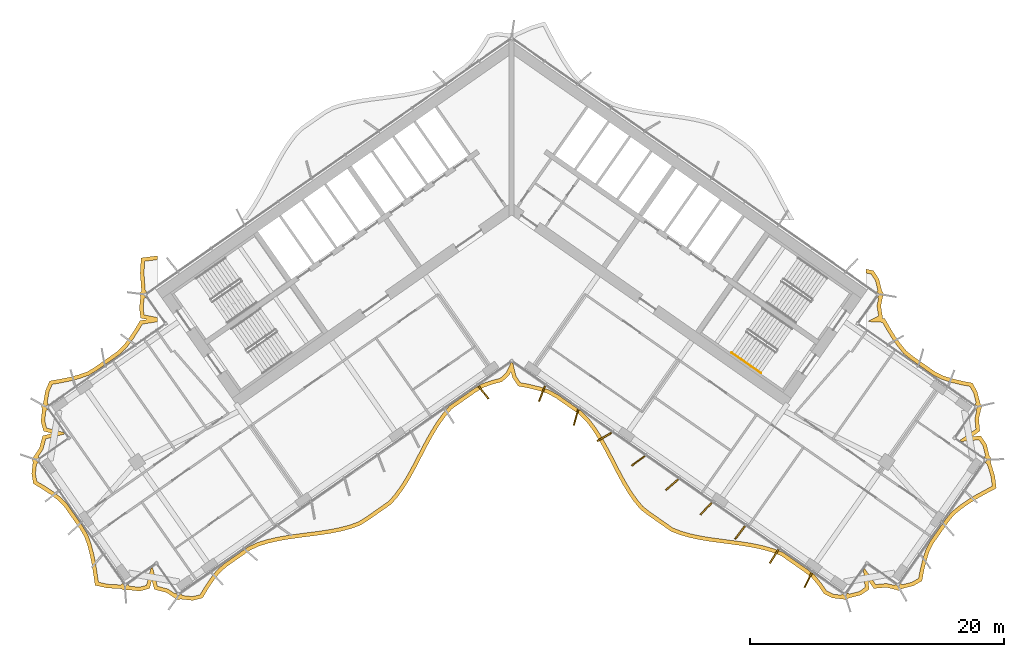
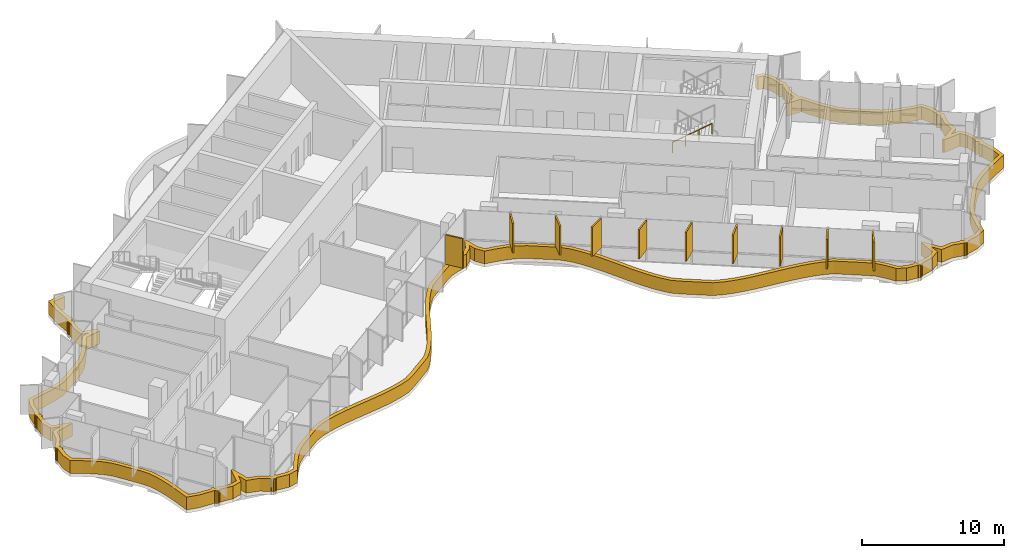
# One storey, part 21 of 23: 11 shading devices, 1 railing.
"""IFC4 building model written with IfcOpenShell, lengths in metres."""

from ifc_helpers import new_model, si_unit, direction, frame, origin, origin_2d, place, context, subcontext, project, spatial, polyline, rectangle, circle, outline, extrude, material, layer, layer_set, type_object, element, save


model = new_model("IFC4")

# Units and contexts
model_context = context("Model", 3, precision=1e-05, world=origin(), true_north=direction((0.0, 1.0)))
body_context = subcontext(model_context, "Body", "Model", "MODEL_VIEW")
ifc_project = project(units=[si_unit("LENGTHUNIT", "METRE"), si_unit("AREAUNIT", "SQUARE_METRE"), si_unit("VOLUMEUNIT", "CUBIC_METRE"), si_unit("PLANEANGLEUNIT", "RADIAN"), si_unit("MASSUNIT", "GRAM", prefix="KILO")], contexts=[model_context])

# Site, building, storey
site_placement = place(None, origin())
site = spatial("IfcSite", under=ifc_project, at=site_placement, CompositionType="ELEMENT")
building_placement = place(site_placement, origin())
building = spatial("IfcBuilding", under=site, at=building_placement, Name="Tel Ilan Convention Tower", CompositionType="ELEMENT")
storey_placement = place(building_placement, frame((0.0, 0.0, 174.89990234375)))
storey = spatial("IfcBuildingStorey", under=building, at=storey_placement, Name="L40", CompositionType="ELEMENT", Elevation=174.89990234375)

# Shading devices
ifc_material_1 = material(Name="Aluminium, bronze anodised", Category="aluminium")
ifc_layer_1 = layer(ifc_material_1, 0.1201171875)
ifc_layer_set_1 = layer_set([ifc_layer_1], Name="FIN BRONZE 1300x120")
shading_device_type_1 = type_object("IfcShadingDeviceType", Name="FIN BRONZE 1300x120", PredefinedType="USERDEFINED", material=ifc_layer_set_1)
for number, where, z_axis, x_axis, name in (
    (1, (-2.2255859375, -15.172119140625, 1.10009765625), (0.0, 0.0, 1.0), (0.612600545196, -0.790392669516, 0.0), "FIN"),
    (2, (2.383056640625, -15.274169921875, 1.10009765625), (0.0, 0.0, 1.0), (-0.360177724803, -0.932883704733, 0.0), "FIN"),
    (3, (5.06494140625, -17.13671875, 1.10009765625), (0.0, 0.0, 1.0), (-0.268172612768, -0.963370878614, 0.0), "FIN"),
    (4, (7.29833984375, -18.677978515625, 1.10009765625), (0.0, 0.0, 1.0), (-0.866025403784, -0.5, 0.0), "FIN"),
    (5, (9.9609375, -20.564697265625, 1.10009765625), (0.0, 0.0, 1.0), (-0.813552070258, -0.581492071294, 0.0), "FIN"),
    (6, (12.62841796875, -22.44775390625, 1.10009765625), (0.0, 0.0, 1.0), (-0.753435896329, -0.657521368568, 0.0), "FIN"),
    (7, (15.300537109375, -24.32666015625, 1.10009765625), (0.0, 0.0, 1.0), (-0.686241637865, -0.727373641577, 0.0), "FIN"),
    (8, (17.976806640625, -26.201171875, 1.10009765625), (0.0, 0.0, 1.0), (-0.612600545196, -0.790392669516, 0.0), "FIN"),
    (9, (20.653564453125, -28.075439453125, 1.10009765625), (0.0, 0.0, 1.0), (-0.533204432798, -0.845986425922, 0.0), "FIN"),
    (10, (23.330322265625, -29.949462890625, 1.10009765625), (0.0, 0.0, 1.0), (-0.448799180206, -0.893632640321, 0.0), "FIN"),
):
    element("IfcShadingDevice", number, at=place(storey_placement, frame(where, z_axis=z_axis, x_axis=x_axis)), inside=storey, type_object=shading_device_type_1, Name=name, ObjectType="FIN", PredefinedType="USERDEFINED", context=body_context, shape_type="SweptSolid", body=[
        extrude(rectangle(XDim=1.300048828125, YDim=0.1201171875, at=origin_2d()), origin(), (0.0, 0.0, 1.0), 2.52001953125),
    ])
ifc_material_2 = material(Name="Aluminium, bronze anodised", Category="aluminium")
ifc_layer_2 = layer(ifc_material_2, 0.300048828125)
ifc_layer_set_2 = layer_set([ifc_layer_2], Name="LOUVRE BAND 300x1100")
shading_device_type_2 = type_object("IfcShadingDeviceType", Name="LOUVRE BAND 300x1100", PredefinedType="USERDEFINED", material=ifc_layer_set_2)
shading_device_placement = place(storey_placement, origin())
element("IfcShadingDevice", 11, at=shading_device_placement, inside=storey, type_object=shading_device_type_2, Name="LOUVRE BAND 31.01", ObjectType="LOUVRE", PredefinedType="USERDEFINED", context=body_context, shape_type="SweptSolid", body=[
    extrude(outline(polyline([(-37.76904296875, -21.58447265625), (-37.634765625, -22.36669921875), (-36.95703125, -22.768310546875), (-36.311767578125, -23.192626953125), (-35.712890625, -23.649169921875), (-35.203857421875, -24.1689453125), (-33.968994140625, -25.932373046875), (-33.60498046875, -26.5537109375), (-33.363525390625, -27.2607421875), (-33.17138671875, -28.002197265625), (-33.01904296875, -28.771728515625), (-32.89599609375, -29.5615234375), (-32.782958984375, -30.358642578125), (-31.836181640625, -30.571533203125), (-30.67138671875, -30.632080078125), (-30.642333984375, -30.67529296875), (-30.544921875, -30.740478515625), (-30.43017578125, -30.76318359375), (-30.3154296875, -30.740478515625), (-30.261474609375, -30.704345703125), (-29.26904296875, -30.81396484375), (-28.4951171875, -30.611572265625), (-28.31640625, -29.930908203125), (-28.12109375, -30.677734375), (-27.170166015625, -30.92724609375), (-26.497802734375, -31.3720703125), (-26.4931640625, -31.368896484375), (-26.464111328125, -31.412109375), (-26.366943359375, -31.47705078125), (-26.251953125, -31.5), (-26.13720703125, -31.47705078125), (-26.083251953125, -31.441162109375), (-25.097412109375, -31.54931640625), (-24.322021484375, -31.357421875), (-23.90576171875, -30.652587890625), (-23.4609375, -29.988525390625), (-22.980224609375, -29.375732421875), (-22.4169921875, -28.880859375), (-20.58544921875, -27.598388671875), (-19.900146484375, -27.277587890625), (-19.150634765625, -27.048583984375), (-18.36669921875, -26.86865234375), (-17.556396484375, -26.726806640625), (-16.728515625, -26.609619140625), (-15.0595703125, -26.39404296875), (-14.239013671875, -26.266845703125), (-13.4404296875, -26.10791015625), (-12.672119140625, -25.90576171875), (-11.941650390625, -25.649658203125), (-11.30908203125, -25.253662109375), (-9.4775390625, -23.97119140625), (-8.9716796875, -23.39404296875), (-8.509033203125, -22.75537109375), (-8.0791015625, -22.0703125), (-7.673583984375, -21.35009765625), (-6.508056640625, -19.1162109375), (-6.103271484375, -18.39501953125), (-5.67431640625, -17.708251953125), (-5.213134765625, -17.067626953125), (-4.7119140625, -16.483642578125), (-2.88037109375, -15.201416015625), (-2.25146484375, -14.800048828125), (-1.5224609375, -14.5419921875), (-0.755615234375, -14.337890625), (-0.200439453125, -13.831298828125), (-0.055419921875, -13.532470703125), (0.06640625, -14.0224609375), (0.51220703125, -14.685546875), (1.31689453125, -14.835693359375), (2.093017578125, -15.0263671875), (2.833251953125, -15.268798828125), (3.490966796875, -15.62890625), (5.322509765625, -16.9111328125), (5.858154296875, -17.445556640625), (6.329833984375, -18.071533203125), (6.76708984375, -18.74658203125), (7.177734375, -19.45947265625), (7.57080078125, -20.197509765625), (8.343994140625, -21.69189453125), (8.744384765625, -22.41943359375), (9.166748046875, -23.11572265625), (9.61962890625, -23.768310546875), (10.110107421875, -24.3671875), (10.698486328125, -24.826171875), (12.530029296875, -26.108642578125), (13.245361328125, -26.386474609375), (14.003662109375, -26.602783203125), (14.794677734375, -26.7724609375), (15.610107421875, -26.9072265625), (18.10791015625, -27.238525390625), (18.924072265625, -27.3720703125), (19.716064453125, -27.54052734375), (20.475830078125, -27.7548828125), (21.19580078125, -28.02587890625), (23.02734375, -29.308349609375), (23.619384765625, -29.76220703125), (24.111328125, -30.35888671875), (24.565673828125, -31.009765625), (25.2314453125, -31.358154296875), (26.083251953125, -31.441162109375), (26.13720703125, -31.47705078125), (26.251953125, -31.5), (26.366943359375, -31.47705078125), (26.464111328125, -31.412109375), (26.4931640625, -31.368896484375), (27.463134765625, -31.132568359375), (28.12109375, -30.677734375), (28.056396484375, -29.976806640625), (28.4951171875, -30.611572265625), (29.47412109375, -30.52099609375), (30.258056640625, -30.708984375), (30.261474609375, -30.704345703125), (30.3154296875, -30.740478515625), (30.43017578125, -30.76318359375), (30.544921875, -30.740478515625), (30.642333984375, -30.67529296875), (30.67138671875, -30.632080078125), (31.5947265625, -30.402587890625), (32.283447265625, -30.0087890625), (32.42919921875, -29.234619140625), (32.607177734375, -28.483154296875), (32.83154296875, -27.764404296875), (33.145751953125, -27.108154296875), (34.380615234375, -25.344482421875), (34.83984375, -24.7900390625), (35.421630859375, -24.3212890625), (36.052734375, -23.88720703125), (36.7236328125, -23.48095703125), (37.423828125, -23.09521484375), (38.134033203125, -22.71630859375), (38.010498046875, -21.753662109375), (37.6689453125, -20.638427734375), (37.705078125, -20.58447265625), (37.727783203125, -20.4697265625), (37.705078125, -20.354736328125), (37.639892578125, -20.257568359375), (37.5966796875, -20.228515625), (37.3603515625, -19.258544921875), (36.905517578125, -18.6005859375), (36.20458984375, -18.665283203125), (36.839599609375, -18.2265625), (36.748779296875, -17.24755859375), (36.936767578125, -16.463623046875), (36.93212890625, -16.460205078125), (36.96826171875, -16.40625), (36.9912109375, -16.29150390625), (36.96826171875, -16.1767578125), (36.9033203125, -16.079345703125), (36.85986328125, -16.05029296875), (36.63134765625, -15.134521484375), (36.246826171875, -14.44140625), (35.47900390625, -14.2958984375), (34.732177734375, -14.1201171875), (34.017333984375, -13.899169921875), (33.361328125, -13.59375), (31.6103515625, -12.36767578125), (31.052978515625, -11.921630859375), (30.5849609375, -11.347900390625), (30.151123046875, -10.72509765625), (29.74560546875, -10.06201171875), (29.356201171875, -9.3759765625), (29.132080078125, -9.36474609375), (29.19384765625, -9.332763671875), (29.044921875, -8.373779296875), (29.20458984375, -7.631103515625), (29.199951171875, -7.6279296875), (29.236083984375, -7.57373046875), (29.2587890625, -7.458984375), (29.236083984375, -7.34423828125), (29.1708984375, -7.246826171875), (29.127685546875, -7.218017578125), (28.894287109375, -6.267333984375), (28.465576171875, -5.595458984375), (27.874755859375, -5.485595703125), (27.874755859375, -5.790771484375), (28.28271484375, -5.86669921875), (28.614990234375, -6.387451171875), (28.806640625, -7.1533203125), (28.713134765625, -7.286865234375), (28.958740234375, -7.458984375), (28.787353515625, -7.705322265625), (28.869384765625, -7.7626953125), (28.73974609375, -8.364990234375), (28.8642578125, -9.165283203125), (28.0048828125, -9.60888671875), (29.1767578125, -9.66748046875), (29.4873046875, -10.21435546875), (29.89990234375, -10.88916015625), (30.34521484375, -11.528564453125), (30.840576171875, -12.135986328125), (31.430419921875, -12.60791015625), (33.2109375, -13.8544921875), (33.9091796875, -14.1796875), (34.653564453125, -14.409912109375), (35.416748046875, -14.58935546875), (36.052734375, -14.7099609375), (36.35009765625, -15.24609375), (36.53857421875, -15.986328125), (36.4453125, -16.119384765625), (36.691162109375, -16.29150390625), (36.519775390625, -16.53759765625), (36.597412109375, -16.592041015625), (36.445556640625, -17.225830078125), (36.524658203125, -18.07958984375), (35.261474609375, -18.95263671875), (35.38916015625, -19.042236328125), (36.758544921875, -18.915283203125), (37.082275390625, -19.384033203125), (37.27587890625, -20.16357421875), (37.18212890625, -20.297607421875), (37.427734375, -20.4697265625), (37.25634765625, -20.7158203125), (37.41650390625, -20.827880859375), (37.716064453125, -21.816650390625), (37.810302734375, -22.549072265625), (36.573486328125, -23.22119140625), (35.889892578125, -23.635009765625), (35.2421875, -24.08056640625), (34.6279296875, -24.575439453125), (34.141845703125, -25.16259765625), (32.8857421875, -26.956298828125), (32.551513671875, -27.654296875), (32.317626953125, -28.40380859375), (32.1357421875, -29.17236328125), (32.014404296875, -29.817138671875), (31.481201171875, -30.121826171875), (30.7353515625, -30.310791015625), (30.602294921875, -30.217529296875), (30.43017578125, -30.46337890625), (30.18408203125, -30.291748046875), (30.129638671875, -30.36962890625), (29.495849609375, -30.2177734375), (28.64208984375, -30.296875), (27.76904296875, -29.03369140625), (27.679443359375, -29.161376953125), (27.806396484375, -30.530517578125), (27.337646484375, -30.8544921875), (26.55810546875, -31.048095703125), (26.424072265625, -30.954345703125), (26.251953125, -31.199951171875), (26.005859375, -31.028564453125), (25.935302734375, -31.129150390625), (25.319580078125, -31.065673828125), (24.76953125, -30.77783203125), (24.3505859375, -30.177490234375), (23.8291015625, -29.544921875), (23.204833984375, -29.06640625), (21.3369140625, -27.758544921875), (20.569580078125, -27.469482421875), (19.7880859375, -27.2490234375), (18.9794921875, -27.077392578125), (18.15234375, -26.941650390625), (15.65478515625, -26.610595703125), (14.8505859375, -26.477783203125), (14.076416015625, -26.3115234375), (13.341064453125, -26.101806640625), (12.67236328125, -25.842041015625), (10.876953125, -24.5849609375), (10.321044921875, -24.1513671875), (9.859375, -23.58740234375), (9.41845703125, -22.9521484375), (9.004150390625, -22.269287109375), (8.608642578125, -21.55029296875), (7.83642578125, -20.058349609375), (7.440185546875, -19.31396484375), (7.02294921875, -18.590087890625), (6.575927734375, -17.8994140625), (6.085205078125, -17.248046875), (5.515869140625, -16.680419921875), (3.649658203125, -15.37353515625), (2.953125, -14.9921875), (2.17578125, -14.73779296875), (1.380126953125, -14.542236328125), (0.69091796875, -14.41357421875), (0.344970703125, -13.89892578125), (0.092041015625, -12.882568359375), (0.0, -12.818115234375), (-0.063720703125, -12.86279296875), (-0.445068359375, -13.6484375), (-0.903564453125, -14.06689453125), (-1.611328125, -14.255126953125), (-2.384033203125, -14.52880859375), (-3.04736328125, -14.951904296875), (-4.9150390625, -16.259765625), (-5.448974609375, -16.882080078125), (-5.923583984375, -17.541015625), (-6.361572265625, -18.241943359375), (-6.771728515625, -18.972900390625), (-7.93701171875, -21.20654296875), (-8.3369140625, -21.916748046875), (-8.7578125, -22.587646484375), (-9.20654296875, -23.206787109375), (-9.67919921875, -23.746337890625), (-11.474853515625, -25.00341796875), (-12.072509765625, -25.377685546875), (-12.760009765625, -25.61865234375), (-13.5078125, -25.8154296875), (-14.291259765625, -25.97119140625), (-15.102294921875, -26.09716796875), (-16.768310546875, -26.312255859375), (-17.603271484375, -26.430419921875), (-18.42626953125, -26.57470703125), (-19.22802734375, -26.7587890625), (-20.008056640625, -26.9970703125), (-20.736083984375, -27.337646484375), (-22.6025390625, -28.64453125), (-23.198974609375, -29.168701171875), (-23.7041015625, -29.81201171875), (-24.159912109375, -30.49267578125), (-24.516357421875, -31.096435546875), (-25.118408203125, -31.24560546875), (-25.91259765625, -31.161865234375), (-26.005859375, -31.028564453125), (-26.251953125, -31.199951171875), (-26.424072265625, -30.954345703125), (-26.502685546875, -31.00927734375), (-27.0458984375, -30.649658203125), (-27.875244140625, -30.43212890625), (-28.263916015625, -28.9462890625), (-28.3916015625, -29.035888671875), (-28.74072265625, -30.36572265625), (-29.2919921875, -30.510009765625), (-30.0908203125, -30.425048828125), (-30.18408203125, -30.291748046875), (-30.43017578125, -30.46337890625), (-30.602294921875, -30.217529296875), (-30.76318359375, -30.330078125), (-31.794677734375, -30.2734375), (-32.51513671875, -30.111328125), (-32.7236328125, -28.719482421875), (-32.878662109375, -27.935302734375), (-33.075927734375, -27.174560546875), (-33.330810546875, -26.427978515625), (-33.71630859375, -25.770263671875), (-34.97216796875, -23.9765625), (-35.513671875, -23.423828125), (-36.13818359375, -22.947509765625), (-36.798095703125, -22.513671875), (-37.362548828125, -22.17919921875), (-37.46630859375, -21.573974609375), (-37.388916015625, -20.80859375), (-37.25634765625, -20.7158203125), (-37.427734375, -20.4697265625), (-37.18212890625, -20.297607421875), (-37.237060546875, -20.218994140625), (-36.877685546875, -19.675537109375), (-36.659912109375, -18.846435546875), (-35.17431640625, -18.457763671875), (-35.263671875, -18.330078125), (-36.59375, -17.98095703125), (-36.73779296875, -17.4296875), (-36.653076171875, -16.630859375), (-36.519775390625, -16.53759765625), (-36.691162109375, -16.29150390625), (-36.4453125, -16.119384765625), (-36.5458984375, -15.9755859375), (-36.3974609375, -15.14111328125), (-36.1474609375, -14.54833984375), (-35.52734375, -14.443603515625), (-34.751953125, -14.28662109375), (-33.998779296875, -14.0869140625), (-33.2587890625, -13.8291015625), (-32.613525390625, -13.436279296875), (-30.8330078125, -12.189697265625), (-30.288818359375, -11.64453125), (-29.81787109375, -11.02392578125), (-29.38818359375, -10.3681640625), (-29.05712890625, -9.8115234375), (-27.874755859375, -9.6240234375), (-27.874755859375, -9.287353515625), (-28.923828125, -9.080322265625), (-28.992431640625, -8.5439453125), (-28.91943359375, -7.797607421875), (-28.787353515625, -7.705322265625), (-28.958740234375, -7.458984375), (-28.713134765625, -7.286865234375), (-28.83740234375, -7.109375), (-28.93115234375, -5.783447265625), (-28.876953125, -4.86572265625), (-27.874755859375, -4.735107421875), (-27.874755859375, -4.4326171875), (-29.161865234375, -4.60107421875), (-29.231689453125, -5.78515625), (-29.127685546875, -7.218017578125), (-29.1708984375, -7.246826171875), (-29.236083984375, -7.34423828125), (-29.2587890625, -7.458984375), (-29.236083984375, -7.57373046875), (-29.199951171875, -7.6279296875), (-29.29443359375, -8.548583984375), (-29.19384765625, -9.332763671875), (-28.64111328125, -9.44189453125), (-29.2431640625, -9.537353515625), (-29.642578125, -10.209228515625), (-30.06298828125, -10.850830078125), (-30.515380859375, -11.447021484375), (-31.02685546875, -11.958984375), (-32.777587890625, -13.18505859375), (-33.387451171875, -13.55615234375), (-34.086669921875, -13.7998046875), (-34.8203125, -13.994384765625), (-35.58203125, -14.148681640625), (-36.35986328125, -14.280029296875), (-36.686767578125, -15.055419921875), (-36.85986328125, -16.05029296875), (-36.9033203125, -16.079345703125), (-36.96826171875, -16.1767578125), (-36.9912109375, -16.29150390625), (-36.96826171875, -16.40625), (-36.93212890625, -16.460205078125), (-37.0419921875, -17.45263671875), (-36.839599609375, -18.2265625), (-36.15869140625, -18.4052734375), (-36.905517578125, -18.6005859375), (-37.1552734375, -19.551513671875), (-37.599853515625, -20.223876953125), (-37.5966796875, -20.228515625), (-37.639892578125, -20.257568359375), (-37.705078125, -20.354736328125), (-37.727783203125, -20.4697265625), (-37.705078125, -20.58447265625), (-37.6689453125, -20.638427734375), (-37.76904296875, -21.58447265625)])), origin(), (0.0, 0.0, 1.0), 1.10009765625),
])

# Railing
ifc_material_3 = material(Name="Stainless Steel Grade 316", Category="steel")
railing_type = type_object("IfcRailingType", Name="Stainless Steel Stair Handrail 900 mm", PredefinedType="HANDRAIL", material=ifc_material_3)
railing_placement = place(storey_placement, frame((17.312744140625, -12.0615234375, 2.12744140625)))
element("IfcRailing", 12, at=railing_placement, inside=storey, type_object=railing_type, Name="L40 S4 stair handrail 2", PredefinedType="HANDRAIL", context=body_context, shape_type="SweptSolid", body=[
    extrude(circle(Radius=0.02392578125, at=origin_2d()), frame((0.0, 0.0, 0.8759765625), z_axis=(0.692123088272, -0.484596665743, 0.534912798717), x_axis=(0.573550118428, 0.819170471667, 0.0)), (0.0, 0.0, 1.0), 3.31396484375),
    extrude(circle(Radius=0.02099609375, at=origin_2d()), origin(), (0.0, 0.0, 1.0), 0.851806640625),
    extrude(circle(Radius=0.02099609375, at=origin_2d()), frame((0.7646484375, -0.535400390625, 0.5908203125)), (0.0, 0.0, 1.0), 0.851806640625),
    extrude(circle(Radius=0.02099609375, at=origin_2d()), frame((1.529052734375, -1.070556640625, 1.181884765625)), (0.0, 0.0, 1.0), 0.851806640625),
    extrude(circle(Radius=0.02099609375, at=origin_2d()), frame((2.293701171875, -1.60595703125, 1.772705078125)), (0.0, 0.0, 1.0), 0.851806640625),
])

save(model, "model.ifc")
